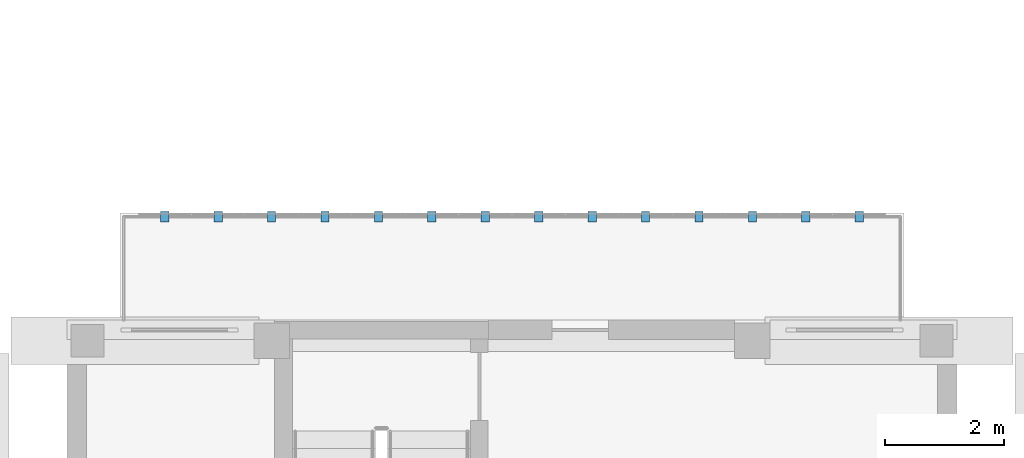
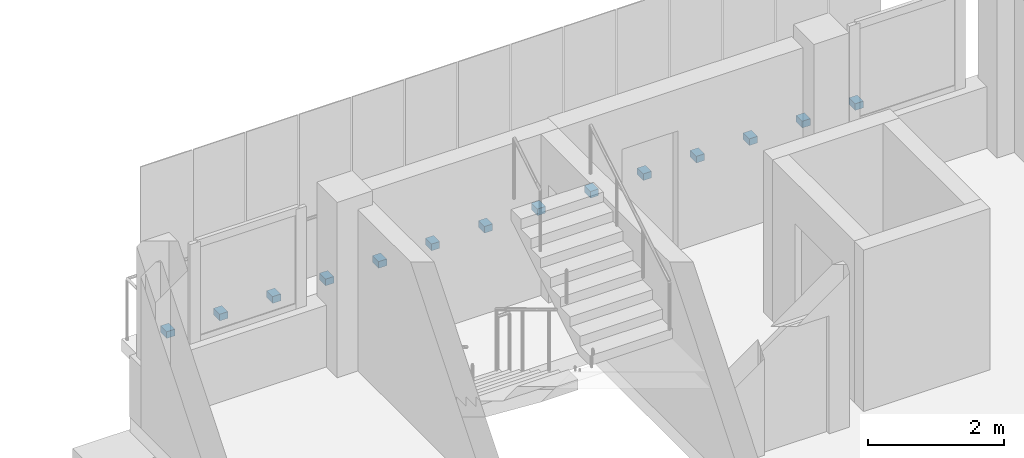
# One storey, part 26 of 38: 14 discrete accessories.
"""IFC4 building model written with IfcOpenShell, lengths in metres."""

import ifcopenshell
import ifcopenshell.guid

model = None  # the IFC model being written
_history = None  # IfcOwnerHistory: only IFC2X3 demands one
_inside = {}  # id of a spatial element -> (the spatial element, [elements in it])
_under = {}  # id of a project, library or spatial element -> (it, [spatial elements below it])
_declared = {}  # id of a project -> (the project, [libraries it declares])
_typed = {}  # id of a type object -> (the type object, [elements of that type])
_made_of = {}  # id of a material, layer set ... -> (it, [elements and type objects made of it])


def new_model(schema):
    """Start an empty IFC model of exactly this schema.

    Asked for "IFC4X3", IfcOpenShell would pick the latest addendum, in which some entities
    have other attributes; the version numbers below select the first issue.
    IFC2X3 requires an IfcOwnerHistory on every rooted entity: one is made here for all.
    """
    global model, _history
    if schema == "IFC4X3":
        model = ifcopenshell.file(schema_version=(4, 3, 0, 0))
    else:
        model = ifcopenshell.file(schema=schema)
    _inside.clear()
    _under.clear()
    _declared.clear()
    _typed.clear()
    _made_of.clear()
    _history = None
    if model.schema == "IFC2X3":
        org = make("IfcOrganization", Name="unknown")
        user = make(
            "IfcPersonAndOrganization",
            ThePerson=make("IfcPerson", FamilyName="unknown"),
            TheOrganization=org,
        )
        app = make(
            "IfcApplication",
            ApplicationDeveloper=org,
            Version="unknown",
            ApplicationFullName="unknown",
            ApplicationIdentifier="unknown",
        )
        _history = make(
            "IfcOwnerHistory",
            OwningUser=user,
            OwningApplication=app,
            ChangeAction="ADDED",
            CreationDate=0,
        )
    return model


def make(cls, **values):
    """One entity of the class cls with the attributes given. An attribute that is None is left unset."""
    return model.create_entity(
        cls, **{name: value for name, value in values.items() if value is not None}
    )


def rooted(cls, **values):
    """An entity with a GlobalId (a new one), such as an element, a storey or a relation."""
    return make(cls, GlobalId=ifcopenshell.guid.new(), OwnerHistory=_history, **values)


def si_unit(unit_type, name, prefix=None):
    """IfcSIUnit, for example si_unit("LENGTHUNIT", "METRE", prefix="MILLI")."""
    return make("IfcSIUnit", UnitType=unit_type, Prefix=prefix, Name=name)


def derived_unit(unit_type, elements):
    """IfcDerivedUnit: a product of units, each with its exponent."""
    return make(
        "IfcDerivedUnit",
        Elements=[
            make("IfcDerivedUnitElement", Unit=unit, Exponent=power)
            for unit, power in elements
        ],
        UnitType=unit_type,
    )


def assignment(units):
    """IfcUnitAssignment: the units of a project."""
    return None if units is None else make("IfcUnitAssignment", Units=units)


def point(xyz):
    """IfcCartesianPoint."""
    return None if xyz is None else make("IfcCartesianPoint", Coordinates=xyz)


def direction(xyz):
    """IfcDirection."""
    return None if xyz is None else make("IfcDirection", DirectionRatios=xyz)


def frame(location, z_axis=None, x_axis=None):
    """IfcAxis2Placement3D, a coordinate frame: its origin and axes. An axis left out is left unset."""
    return make(
        "IfcAxis2Placement3D",
        Location=point(location),
        Axis=direction(z_axis),
        RefDirection=direction(x_axis),
    )


def frame_2d(location, x_axis=None):
    """IfcAxis2Placement2D, a coordinate frame in the plane: its origin and x axis."""
    return make(
        "IfcAxis2Placement2D", Location=point(location), RefDirection=direction(x_axis)
    )


def origin():
    """The frame at (0, 0, 0) with its axes left unset."""
    return frame((0.0, 0.0, 0.0))


def origin_2d():
    """The frame at (0, 0) in the plane with its x axis left unset."""
    return frame_2d((0.0, 0.0))


def place(relative_to, where):
    """IfcLocalPlacement: puts the frame where relative to a parent placement (None: the world)."""
    return make(
        "IfcLocalPlacement", PlacementRelTo=relative_to, RelativePlacement=where
    )


def context(
    kind, dimensions, precision=None, world=None, true_north=None, identifier=None
):
    """IfcGeometricRepresentationContext, for example the 3D "Model" context."""
    return make(
        "IfcGeometricRepresentationContext",
        ContextIdentifier=identifier,
        ContextType=kind,
        CoordinateSpaceDimension=dimensions,
        Precision=precision,
        WorldCoordinateSystem=world,
        TrueNorth=true_north,
    )


def subcontext(parent, identifier, kind, view, scale=None):
    """IfcGeometricRepresentationSubContext, for example "Body" below "Model"."""
    return make(
        "IfcGeometricRepresentationSubContext",
        ContextIdentifier=identifier,
        ContextType=kind,
        ParentContext=parent,
        TargetScale=scale,
        TargetView=view,
    )


def project(units=None, contexts=None):
    """IfcProject with its units and contexts."""
    return rooted(
        "IfcProject",
        Name="project",
        RepresentationContexts=contexts,
        UnitsInContext=assignment(units),
    )


def spatial(cls, under=None, at=None, **own):
    """A site, building, storey or space (cls), placed at a placement, below another one or the project."""
    s = rooted(cls, ObjectPlacement=at, **own)
    if under is not None:
        _under.setdefault(under.id(), (under, []))[1].append(s)
    return s


def profile(cls, at=None, kind="AREA", **sizes):
    """A parametric profile (cls). Its sizes go by their IFC names, for example OverallWidth=200.0."""
    return make(cls, ProfileType=kind, Position=at, **sizes)


def rectangle(**sizes):
    """IfcRectangleProfileDef."""
    return profile("IfcRectangleProfileDef", **sizes)


def extrude(swept, where, along, depth):
    """IfcExtrudedAreaSolid: the profile swept, set in the frame where, extruded along a direction by depth."""
    return make(
        "IfcExtrudedAreaSolid",
        SweptArea=swept,
        Position=where,
        ExtrudedDirection=direction(along),
        Depth=depth,
    )


def shape(context_of_items, identifier, shape_type, items):
    """IfcShapeRepresentation: the items that make up one representation, for example the "Body"."""
    return make(
        "IfcShapeRepresentation",
        ContextOfItems=context_of_items,
        RepresentationIdentifier=identifier,
        RepresentationType=shape_type,
        Items=items,
    )


def material(Name=None, Category=None):
    """IfcMaterial."""
    return make("IfcMaterial", Name=Name, Category=Category)


def made_of(thing, what):
    """Note that an element or type object is made of a material, layer set ...; save() writes the relation."""
    if what is not None:
        _made_of.setdefault(what.id(), (what, []))[1].append(thing)
    return thing


def type_object(cls, material=None, **own):
    """A type object (cls), such as IfcWallType, which elements share."""
    return made_of(rooted(cls, **own), material)


def element(
    cls,
    number,
    at=None,
    inside=None,
    cuts=None,
    type_object=None,
    material=None,
    context=None,
    identifier="Body",
    shape_type=None,
    held_by="IfcProductDefinitionShape",
    body=None,
    shapes=None,
    **own,
):
    """One element of the class cls, such as IfcWall. Its Tag is "e" and its number.

    at: its placement. inside: the storey or other place that contains it. cuts: it is an
    opening in that element (IfcRelVoidsElement). A single representation is given by context,
    identifier, shape_type and body (its items); several are given by shapes. held_by: the class
    of the entity that holds the representations. save() writes the other relations.
    """
    e = rooted(cls, Tag="e%d" % number, ObjectPlacement=at, **own)
    if body is not None:
        shapes = [shape(context, identifier, shape_type, body)]
    if shapes is not None:
        e.Representation = make(held_by, Representations=shapes)
    if inside is not None:
        _inside.setdefault(inside.id(), (inside, []))[1].append(e)
    if cuts is not None:
        rooted(
            "IfcRelVoidsElement", RelatingBuildingElement=cuts, RelatedOpeningElement=e
        )
    if type_object is not None:
        _typed.setdefault(type_object.id(), (type_object, []))[1].append(e)
    return made_of(e, material)


def aggregate(whole, parts):
    """IfcRelAggregates: a whole, such as a stair, and the parts it consists of."""
    return rooted("IfcRelAggregates", RelatingObject=whole, RelatedObjects=parts)


def save(model, path):
    """Write the relations noted so far, then the file.

    IfcRelAggregates (storeys below a building ...), IfcRelContainedInSpatialStructure (elements
    in a storey), IfcRelDefinesByType, IfcRelAssociatesMaterial and IfcRelDeclares: one each for
    every whole, place, type object, material and project.
    """
    for whole, parts in _under.values():
        aggregate(whole, parts)
    for where, things in _inside.values():
        rooted(
            "IfcRelContainedInSpatialStructure",
            RelatedElements=things,
            RelatingStructure=where,
        )
    for kind, things in _typed.values():
        rooted("IfcRelDefinesByType", RelatedObjects=things, RelatingType=kind)
    for what, things in _made_of.values():
        rooted("IfcRelAssociatesMaterial", RelatedObjects=things, RelatingMaterial=what)
    for by, libraries in _declared.values():
        rooted("IfcRelDeclares", RelatingContext=by, RelatedDefinitions=libraries)
    model.write(path)


model = new_model("IFC4")

# Units and contexts
model_context = context("Model", 3, precision=1e-05, world=origin(), true_north=direction((0.0, 1.0)))
body_context = subcontext(model_context, "Body", "Model", "MODEL_VIEW")
ifc_project = project(units=[si_unit("LENGTHUNIT", "METRE"), si_unit("AREAUNIT", "SQUARE_METRE"), si_unit("VOLUMEUNIT", "CUBIC_METRE"), si_unit("PLANEANGLEUNIT", "RADIAN"), si_unit("MASSUNIT", "GRAM", prefix="KILO"), derived_unit("THERMALTRANSMITTANCEUNIT", [(si_unit("MASSUNIT", "GRAM", prefix="KILO"), 1), (si_unit("TIMEUNIT", "SECOND"), -3), (si_unit("THERMODYNAMICTEMPERATUREUNIT", "KELVIN"), -1)])], contexts=[model_context])

# Site, building, storey
site_placement = place(None, origin())
site = spatial("IfcSite", under=ifc_project, at=site_placement, CompositionType="ELEMENT")
building_placement = place(site_placement, origin())
building = spatial("IfcBuilding", under=site, at=building_placement, Name="Ochrekiln Boulevard Commons", CompositionType="ELEMENT")
storey_placement = place(building_placement, frame((0.0, 0.0, 24.675048828125)))
storey = spatial("IfcBuildingStorey", under=building, at=storey_placement, Name="L07", CompositionType="ELEMENT", Elevation=24.675048828125)

# Discrete accessories
ifc_material = material(Name="Steel A992 Grade 50", Category="steel")
discrete_accessory_type = type_object("IfcDiscreteAccessoryType", Name="ACC-BRK-CLEAT", PredefinedType="BRACKET", material=ifc_material)
for number, where, z_axis, x_axis, name in (
    (1, (154.35009765625, 52.139892578125, -0.14013671875), (0.0, 0.0, 1.0), (1.0, 0.0, 0.0), "Bronze Screen Slab-Edge Support Bracket 139"),
    (2, (155.25, 52.139892578125, -0.14013671875), (0.0, 0.0, 1.0), (1.0, 0.0, 0.0), "Bronze Screen Slab-Edge Support Bracket 140"),
    (3, (156.14990234375, 52.139892578125, -0.14013671875), (0.0, 0.0, 1.0), (1.0, 0.0, 0.0), "Bronze Screen Slab-Edge Support Bracket 141"),
    (4, (157.050048828125, 52.139892578125, -0.14013671875), (0.0, 0.0, 1.0), (1.0, 0.0, 0.0), "Bronze Screen Slab-Edge Support Bracket 142"),
    (5, (157.949951171875, 52.139892578125, -0.14013671875), (0.0, 0.0, 1.0), (1.0, 0.0, 0.0), "Bronze Screen Slab-Edge Support Bracket 143"),
    (6, (158.85009765625, 52.139892578125, -0.14013671875), (0.0, 0.0, 1.0), (1.0, 0.0, 0.0), "Bronze Screen Slab-Edge Support Bracket 144"),
    (7, (159.75, 52.139892578125, -0.14013671875), (0.0, 0.0, 1.0), (1.0, 0.0, 0.0), "Bronze Screen Slab-Edge Support Bracket 145"),
    (8, (160.64990234375, 52.139892578125, -0.14013671875), (0.0, 0.0, 1.0), (1.0, 0.0, 0.0), "Bronze Screen Slab-Edge Support Bracket 146"),
    (9, (161.550048828125, 52.139892578125, -0.14013671875), (0.0, 0.0, 1.0), (1.0, 0.0, 0.0), "Bronze Screen Slab-Edge Support Bracket 147"),
    (10, (162.449951171875, 52.139892578125, -0.14013671875), (0.0, 0.0, 1.0), (1.0, 0.0, 0.0), "Bronze Screen Slab-Edge Support Bracket 148"),
    (11, (163.35009765625, 52.139892578125, -0.14013671875), (0.0, 0.0, 1.0), (1.0, 0.0, 0.0), "Bronze Screen Slab-Edge Support Bracket 149"),
    (12, (164.25, 52.139892578125, -0.14013671875), (0.0, 0.0, 1.0), (1.0, 0.0, 0.0), "Bronze Screen Slab-Edge Support Bracket 150"),
    (13, (165.14990234375, 52.139892578125, -0.14013671875), (0.0, 0.0, 1.0), (1.0, 0.0, 0.0), "Bronze Screen Slab-Edge Support Bracket 151"),
    (14, (166.050048828125, 52.139892578125, -0.14013671875), (0.0, 0.0, 1.0), (1.0, 0.0, 0.0), "Bronze Screen Slab-Edge Support Bracket 152"),
):
    element("IfcDiscreteAccessory", number, at=place(storey_placement, frame(where, z_axis=z_axis, x_axis=x_axis)), inside=storey, type_object=discrete_accessory_type, Name=name, PredefinedType="BRACKET", context=body_context, shape_type="SweptSolid", body=[
        extrude(rectangle(XDim=0.139892578125, YDim=0.179931640625, at=origin_2d()), origin(), (0.0, 0.0, 1.0), 0.1201171875),
    ])

save(model, "model.ifc")
